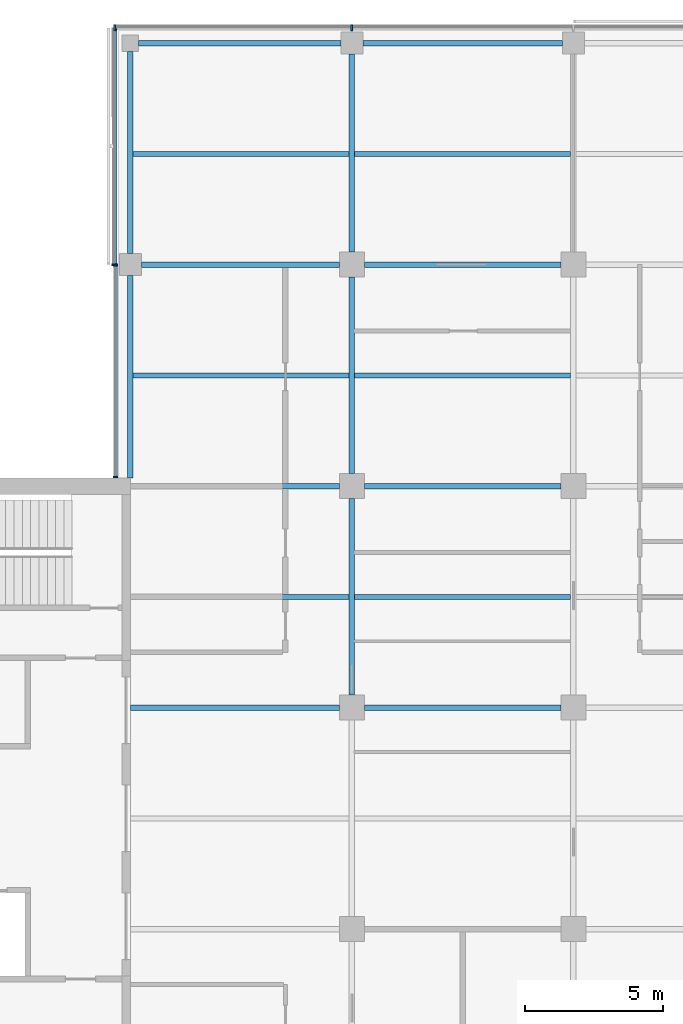
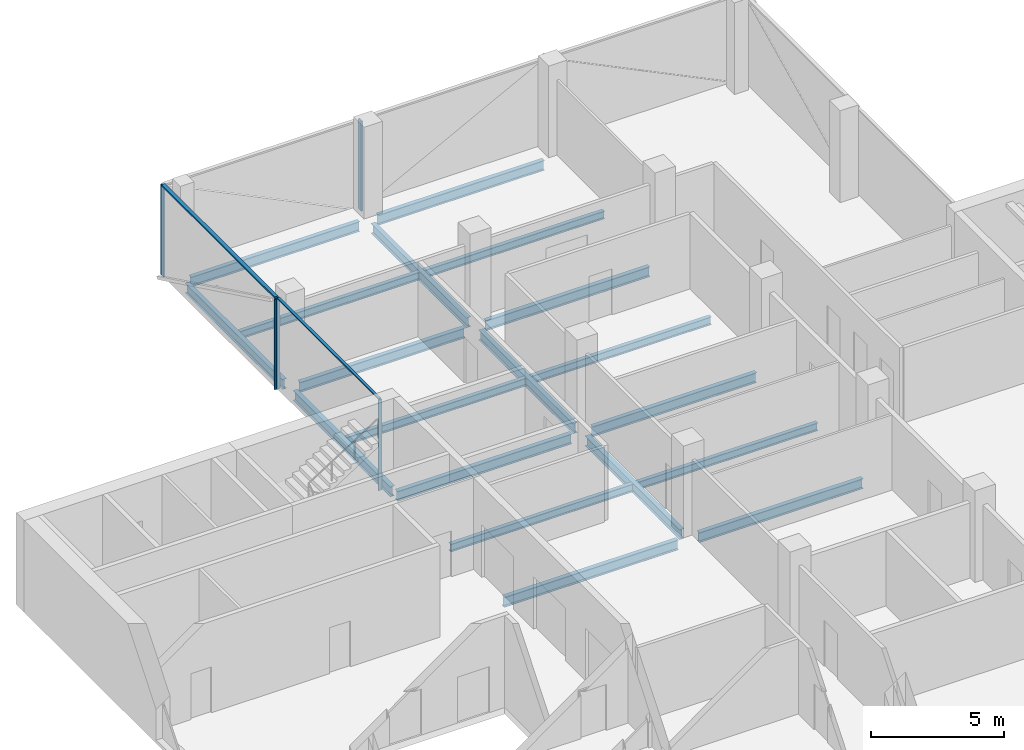
# One storey, part 5 of 15: 19 beams, 7 members, 3 elements without a shape of their own.
"""IFC4 building model written with IfcOpenShell, lengths in metres."""

from ifc_helpers import new_model, si_unit, direction, frame, origin, origin_2d, place, context, subcontext, project, spatial, rectangle, i_section, extrude, material, material_profile, profile_set, type_object, element, aggregate, save


model = new_model("IFC4")

# Units and contexts
model_context = context("Model", 3, precision=1e-05, world=origin(), true_north=direction((0.0, 1.0)))
body_context = subcontext(model_context, "Body", "Model", "MODEL_VIEW")
ifc_project = project(units=[si_unit("LENGTHUNIT", "METRE"), si_unit("AREAUNIT", "SQUARE_METRE"), si_unit("VOLUMEUNIT", "CUBIC_METRE"), si_unit("PLANEANGLEUNIT", "RADIAN"), si_unit("MASSUNIT", "GRAM", prefix="KILO")], contexts=[model_context])

# Site, building, storey
site_placement = place(None, origin())
site = spatial("IfcSite", under=ifc_project, at=site_placement, CompositionType="ELEMENT")
building_placement = place(site_placement, origin())
building = spatial("IfcBuilding", under=site, at=building_placement, Name="Crosswind Convention Tower", CompositionType="ELEMENT")
storey_placement = place(building_placement, frame((0.0, 0.0, 225.10009765625)))
storey = spatial("IfcBuildingStorey", under=building, at=storey_placement, Name="L48", CompositionType="ELEMENT", Elevation=225.10009765625)

# Beams
ifc_material_1 = material(Name="Steel S355", Category="steel")
ifc_material_profile_1 = material_profile(ifc_material_1, i_section(OverallWidth=0.18994140625, OverallDepth=0.45361328125, WebThickness=0.008544921875, FlangeThickness=0.0126953125, FilletRadius=0.01025390625, at=origin_2d()), Name="UB 457x191x67")
ifc_profile_set_1 = profile_set([ifc_material_profile_1], Name="Steel S355")
beam_type_1 = type_object("IfcBeamType", Name="Edge beam UB 457x191x67", PredefinedType="SPANDREL", material=ifc_profile_set_1)
for number, where, z_axis, x_axis, name in (
    (1, (113.0, 112.300048828125, -0.52685546875), (0.0, 1.0, 0.0), (-1.0, 0.0, 0.0), "B16 L48 edge beam 3"),
    (2, (113.0, 120.39990234375, -0.52685546875), (0.0, 1.0, 0.0), (-1.0, 0.0, 0.0), "B16 L48 edge beam 4"),
    (3, (113.300048828125, 128.0, -0.52685546875), (1.0, 0.0, 0.0), (0.0, 1.0, 0.0), "B16 L48 edge beam 6"),
):
    element("IfcBeam", number, at=place(storey_placement, frame(where, z_axis=z_axis, x_axis=x_axis)), inside=storey, type_object=beam_type_1, Name=name, PredefinedType="SPANDREL", context=body_context, shape_type="SweptSolid", body=[
        extrude(i_section(OverallWidth=0.18994140625, OverallDepth=0.45361328125, WebThickness=0.008544921875, FlangeThickness=0.0126953125, FilletRadius=0.01025390625, at=origin_2d()), origin(), (0.0, 0.0, 1.0), 7.300048828125),
    ])
beam_1_placement = place(storey_placement, frame((121.39990234375, 128.0, -0.52685546875), z_axis=(1.0, 0.0, 0.0), x_axis=(0.0, 1.0, 0.0)))
element("IfcBeam", 4, at=beam_1_placement, inside=storey, type_object=beam_type_1, Name="B16 L48 edge beam 8", PredefinedType="SPANDREL", context=body_context, shape_type="SweptSolid", body=[
    extrude(i_section(OverallWidth=0.18994140625, OverallDepth=0.45361328125, WebThickness=0.008544921875, FlangeThickness=0.0126953125, FilletRadius=0.01025390625, at=origin_2d()), origin(), (0.0, 0.0, 1.0), 7.2001953125),
])
ifc_material_profile_2 = material_profile(ifc_material_1, i_section(OverallWidth=0.1904296875, OverallDepth=0.457275390625, WebThickness=0.009033203125, FlangeThickness=0.014404296875, FilletRadius=0.01025390625, at=origin_2d()), Name="UB 457x191x75")
ifc_profile_set_2 = profile_set([ifc_material_profile_2], Name="Steel S355")
beam_type_2 = type_object("IfcBeamType", Name="Girder UB 457x191x75", PredefinedType="BEAM", material=ifc_profile_set_2)
beam_2_placement = place(storey_placement, frame((113.39990234375, 120.0, -0.52880859375), z_axis=(1.0, 0.0, 0.0), x_axis=(0.0, 1.0, 0.0)))
element("IfcBeam", 5, at=beam_2_placement, inside=storey, type_object=beam_type_2, Name="B2 L48 girder 2", PredefinedType="BEAM", context=body_context, shape_type="SweptSolid", body=[
    extrude(i_section(OverallWidth=0.1904296875, OverallDepth=0.457275390625, WebThickness=0.009033203125, FlangeThickness=0.014404296875, FilletRadius=0.01025390625, at=origin_2d()), origin(), (0.0, 0.0, 1.0), 7.150146484375),
])
for number, where, z_axis, x_axis, name in (
    (6, (121.0, 104.449951171875, -0.52880859375), (0.0, 1.0, 0.0), (-1.0, 0.0, 0.0), "B2 L48 girder 7"),
    (7, (121.0, 112.449951171875, -0.52880859375), (0.0, 1.0, 0.0), (-1.0, 0.0, 0.0), "B2 L48 girder 8"),
):
    element("IfcBeam", number, at=place(storey_placement, frame(where, z_axis=z_axis, x_axis=x_axis)), inside=storey, type_object=beam_type_2, Name=name, PredefinedType="BEAM", context=body_context, shape_type="SweptSolid", body=[
        extrude(i_section(OverallWidth=0.1904296875, OverallDepth=0.457275390625, WebThickness=0.009033203125, FlangeThickness=0.014404296875, FilletRadius=0.01025390625, at=origin_2d()), origin(), (0.0, 0.0, 1.0), 7.10009765625),
    ])
beam_3_placement = place(storey_placement, frame((121.0, 120.449951171875, -0.52880859375), z_axis=(0.0, 1.0, 0.0), x_axis=(-1.0, 0.0, 0.0)))
element("IfcBeam", 8, at=beam_3_placement, inside=storey, type_object=beam_type_2, Name="B2 L48 girder 9", PredefinedType="BEAM", context=body_context, shape_type="SweptSolid", body=[
    extrude(i_section(OverallWidth=0.1904296875, OverallDepth=0.457275390625, WebThickness=0.009033203125, FlangeThickness=0.014404296875, FilletRadius=0.01025390625, at=origin_2d()), origin(), (0.0, 0.0, 1.0), 7.150146484375),
])
for number, where, z_axis, x_axis, name in (
    (9, (121.449951171875, 104.0, -0.52880859375), (1.0, 0.0, 0.0), (0.0, 1.0, 0.0), "B2 L48 girder 13"),
    (10, (121.449951171875, 112.0, -0.52880859375), (1.0, 0.0, 0.0), (0.0, 1.0, 0.0), "B2 L48 girder 14"),
    (11, (121.449951171875, 120.0, -0.52880859375), (1.0, 0.0, 0.0), (0.0, 1.0, 0.0), "B2 L48 girder 15"),
):
    element("IfcBeam", number, at=place(storey_placement, frame(where, z_axis=z_axis, x_axis=x_axis)), inside=storey, type_object=beam_type_2, Name=name, PredefinedType="BEAM", context=body_context, shape_type="SweptSolid", body=[
        extrude(i_section(OverallWidth=0.1904296875, OverallDepth=0.457275390625, WebThickness=0.009033203125, FlangeThickness=0.014404296875, FilletRadius=0.01025390625, at=origin_2d()), origin(), (0.0, 0.0, 1.0), 7.10009765625),
    ])
ifc_material_profile_3 = material_profile(ifc_material_1, i_section(OverallWidth=0.19140625, OverallDepth=0.460205078125, WebThickness=0.010009765625, FlangeThickness=0.01611328125, FilletRadius=0.01025390625, at=origin_2d()), Name="UB 457x191x82")
ifc_profile_set_3 = profile_set([ifc_material_profile_3], Name="Steel S355")
beam_type_3 = type_object("IfcBeamType", Name="Girder at core wall UB 457x191x82", PredefinedType="BEAM", material=ifc_profile_set_3)
for number, where, z_axis, x_axis, name in (
    (12, (113.0, 104.0, -0.5302734375), (1.0, 0.0, 0.0), (0.0, 1.0, 0.0), "B23 L48 girder at core wall 3"),
    (13, (113.0, 112.0, -0.5302734375), (1.0, 0.0, 0.0), (0.0, 1.0, 0.0), "B23 L48 girder at core wall 4"),
):
    element("IfcBeam", number, at=place(storey_placement, frame(where, z_axis=z_axis, x_axis=x_axis)), inside=storey, type_object=beam_type_3, Name=name, PredefinedType="BEAM", context=body_context, shape_type="SweptSolid", body=[
        extrude(i_section(OverallWidth=0.19140625, OverallDepth=0.460205078125, WebThickness=0.010009765625, FlangeThickness=0.01611328125, FilletRadius=0.01025390625, at=origin_2d()), origin(), (0.0, 0.0, 1.0), 7.550048828125),
    ])

# Curtain wall, members
ifc_material_2 = material(Name="Aluminium unitised curtain wall", Category="aluminium")
curtain_wall_type_1 = type_object("IfcCurtainWallType", Name="CORE END SLOT WALL 160", PredefinedType="USERDEFINED", material=ifc_material_2)
curtain_wall_1_placement = place(storey_placement, origin())
curtain_wall_1 = element("IfcCurtainWall", 14, at=curtain_wall_1_placement, inside=storey, type_object=curtain_wall_type_1, Name="CW6 L48 N-W.1-2 slot", ObjectType="UNITISED", PredefinedType="USERDEFINED")
ifc_material_3 = material(Name="Aluminium mullion", Category="aluminium")
ifc_material_profile_4 = material_profile(ifc_material_3, rectangle(XDim=0.159912109375, YDim=0.050048828125, at=origin_2d()), Name="AL 160X50")
ifc_profile_set_4 = profile_set([ifc_material_profile_4], Name="Aluminium mullion")
member_type_1 = type_object("IfcMemberType", Name="MULLION 50X160", PredefinedType="MULLION", material=ifc_profile_set_4)
member_1_placement = place(storey_placement, frame((112.469970703125, 119.97509765625, -0.300048828125), z_axis=(0.0, 0.0, 1.0), x_axis=(-1.0, 0.0, 0.0)))
member_1 = element("IfcMember", 15, at=member_1_placement, type_object=member_type_1, Name="CW6 mullion 1", PredefinedType="MULLION", context=body_context, shape_type="SweptSolid", body=[
    extrude(rectangle(XDim=0.159912109375, YDim=0.050048828125, at=origin_2d()), origin(), (0.0, 0.0, 1.0), 4.14990234375),
])
member_2_placement = place(storey_placement, frame((112.469970703125, 112.324951171875, -0.300048828125), z_axis=(0.0, 0.0, 1.0), x_axis=(-1.0, 0.0, 0.0)))
member_2 = element("IfcMember", 16, at=member_2_placement, type_object=member_type_1, Name="CW6 mullion 2", PredefinedType="MULLION", context=body_context, shape_type="SweptSolid", body=[
    extrude(rectangle(XDim=0.159912109375, YDim=0.050048828125, at=origin_2d()), origin(), (0.0, 0.0, 1.0), 4.14990234375),
])

curtain_wall_type_2 = type_object("IfcCurtainWallType", Name="OFFICE UNITISED WALL 220", PredefinedType="USERDEFINED", material=ifc_material_2)
curtain_wall_2_placement = place(storey_placement, origin())
curtain_wall_2 = element("IfcCurtainWall", 17, at=curtain_wall_2_placement, inside=storey, type_object=curtain_wall_type_2, Name="CW3 L48 N-TIP 1", ObjectType="UNITISED", PredefinedType="USERDEFINED")
ifc_material_profile_5 = material_profile(ifc_material_3, rectangle(XDim=0.219970703125, YDim=0.070068359375, at=origin_2d()), Name="AL 220X70")
ifc_profile_set_5 = profile_set([ifc_material_profile_5], Name="Aluminium mullion")
member_type_2 = type_object("IfcMemberType", Name="MULLION 70X220", PredefinedType="MULLION", material=ifc_profile_set_5)
member_3_placement = place(storey_placement, frame((121.0, 128.56005859375, -0.300048828125), z_axis=(0.0, 0.0, 1.0), x_axis=(0.0, 1.0, 0.0)))
member_3 = element("IfcMember", 18, at=member_3_placement, type_object=member_type_2, Name="CW3 mullion 3", PredefinedType="MULLION", context=body_context, shape_type="SweptSolid", body=[
    extrude(rectangle(XDim=0.219970703125, YDim=0.070068359375, at=origin_2d()), origin(), (0.0, 0.0, 1.0), 4.1298828125),
])
member_4_placement = place(storey_placement, frame((112.43994140625, 128.56005859375, -0.300048828125), z_axis=(0.0, 0.0, 1.0), x_axis=(0.0, 1.0, 0.0)))
member_4 = element("IfcMember", 19, at=member_4_placement, type_object=member_type_2, Name="CW3 mullion 4", PredefinedType="MULLION", context=body_context, shape_type="SweptSolid", body=[
    extrude(rectangle(XDim=0.219970703125, YDim=0.070068359375, at=origin_2d()), origin(), (0.0, 0.0, 1.0), 4.1298828125),
])
aggregate(curtain_wall_2, [member_3, member_4])

# Curtain wall, member
curtain_wall_3_placement = place(storey_placement, origin())
curtain_wall_3 = element("IfcCurtainWall", 20, at=curtain_wall_3_placement, inside=storey, type_object=curtain_wall_type_2, Name="CW3 L48 N-W 1", ObjectType="UNITISED", PredefinedType="USERDEFINED")
member_5_placement = place(storey_placement, frame((112.43994140625, 120.0, -0.300048828125), z_axis=(0.0, 0.0, 1.0), x_axis=(-1.0, 0.0, 0.0)))
member_5 = element("IfcMember", 21, at=member_5_placement, type_object=member_type_2, Name="CW3 mullion 2", PredefinedType="MULLION", context=body_context, shape_type="SweptSolid", body=[
    extrude(rectangle(XDim=0.219970703125, YDim=0.070068359375, at=origin_2d()), origin(), (0.0, 0.0, 1.0), 4.1298828125),
])

# Beams
ifc_material_profile_6 = material_profile(ifc_material_1, i_section(OverallWidth=0.172119140625, OverallDepth=0.358642578125, WebThickness=0.008056640625, FlangeThickness=0.012939453125, FilletRadius=0.01025390625, at=origin_2d()), Name="UB 356x171x57")
ifc_profile_set_6 = profile_set([ifc_material_profile_6], Name="Steel S355")
beam_type_4 = type_object("IfcBeamType", Name="Secondary beam UB 356x171x57", PredefinedType="JOIST", material=ifc_profile_set_6)
beam_4_placement = place(storey_placement, frame((113.0, 108.0, -0.4794921875), z_axis=(1.0, 0.0, 0.0), x_axis=(0.0, 1.0, 0.0)))
element("IfcBeam", 22, at=beam_4_placement, inside=storey, type_object=beam_type_4, Name="B9 L48 secondary beam 3", PredefinedType="JOIST", context=body_context, shape_type="SweptSolid", body=[
    extrude(i_section(OverallWidth=0.172119140625, OverallDepth=0.358642578125, WebThickness=0.008056640625, FlangeThickness=0.012939453125, FilletRadius=0.01025390625, at=origin_2d()), origin(), (0.0, 0.0, 1.0), 7.90478515625),
])
for number, where, z_axis, x_axis, name in (
    (23, (113.094970703125, 116.0, -0.4794921875), (1.0, 0.0, 0.0), (0.0, 1.0, 0.0), "B9 L48 secondary beam 6"),
    (24, (113.094970703125, 124.0, -0.4794921875), (1.0, 0.0, 0.0), (0.0, 1.0, 0.0), "B9 L48 secondary beam 7"),
):
    element("IfcBeam", number, at=place(storey_placement, frame(where, z_axis=z_axis, x_axis=x_axis)), inside=storey, type_object=beam_type_4, Name=name, PredefinedType="JOIST", context=body_context, shape_type="SweptSolid", body=[
        extrude(i_section(OverallWidth=0.172119140625, OverallDepth=0.358642578125, WebThickness=0.008056640625, FlangeThickness=0.012939453125, FilletRadius=0.01025390625, at=origin_2d()), origin(), (0.0, 0.0, 1.0), 7.809814453125),
    ])
for number, where, z_axis, x_axis, name in (
    (25, (121.09521484375, 108.0, -0.4794921875), (1.0, 0.0, 0.0), (0.0, 1.0, 0.0), "B9 L48 secondary beam 12"),
    (26, (121.09521484375, 116.0, -0.4794921875), (1.0, 0.0, 0.0), (0.0, 1.0, 0.0), "B9 L48 secondary beam 13"),
    (27, (121.09521484375, 124.0, -0.4794921875), (1.0, 0.0, 0.0), (0.0, 1.0, 0.0), "B9 L48 secondary beam 14"),
):
    element("IfcBeam", number, at=place(storey_placement, frame(where, z_axis=z_axis, x_axis=x_axis)), inside=storey, type_object=beam_type_4, Name=name, PredefinedType="JOIST", context=body_context, shape_type="SweptSolid", body=[
        extrude(i_section(OverallWidth=0.172119140625, OverallDepth=0.358642578125, WebThickness=0.008056640625, FlangeThickness=0.012939453125, FilletRadius=0.01025390625, at=origin_2d()), origin(), (0.0, 0.0, 1.0), 7.8095703125),
    ])

# Member
ifc_material_4 = material(Name="Aluminium transom", Category="aluminium")
ifc_material_profile_7 = material_profile(ifc_material_4, rectangle(XDim=0.1201171875, YDim=0.050048828125, at=origin_2d()), Name="AL 120X50")
ifc_profile_set_7 = profile_set([ifc_material_profile_7], Name="Aluminium transom")
member_type_3 = type_object("IfcMemberType", Name="TRANSOM 50X120", PredefinedType="USERDEFINED", material=ifc_profile_set_7)
member_6_placement = place(storey_placement, frame((112.469970703125, 119.949951171875, 3.875), z_axis=(0.0, -1.0, 0.0), x_axis=(1.0, 0.0, 0.0)))
member_6 = element("IfcMember", 28, at=member_6_placement, type_object=member_type_3, Name="CW6 transom", ObjectType="TRANSOM", PredefinedType="USERDEFINED", context=body_context, shape_type="SweptSolid", body=[
    extrude(rectangle(XDim=0.1201171875, YDim=0.050048828125, at=origin_2d()), origin(), (0.0, 0.0, 1.0), 7.599853515625),
])

aggregate(curtain_wall_1, [member_1, member_2, member_6])

ifc_material_profile_8 = material_profile(ifc_material_4, rectangle(XDim=0.159912109375, YDim=0.070068359375, at=origin_2d()), Name="AL 160X70")
ifc_profile_set_8 = profile_set([ifc_material_profile_8], Name="Aluminium transom")
member_type_4 = type_object("IfcMemberType", Name="TRANSOM 70X160", PredefinedType="USERDEFINED", material=ifc_profile_set_8)
member_7_placement = place(storey_placement, frame((112.43994140625, 128.52490234375, 3.864990234375), z_axis=(0.0, -1.0, 0.0), x_axis=(1.0, 0.0, 0.0)))
member_7 = element("IfcMember", 29, at=member_7_placement, type_object=member_type_4, Name="CW3 transom", ObjectType="TRANSOM", PredefinedType="USERDEFINED", context=body_context, shape_type="SweptSolid", body=[
    extrude(rectangle(XDim=0.159912109375, YDim=0.070068359375, at=origin_2d()), origin(), (0.0, 0.0, 1.0), 8.489990234375),
])

aggregate(curtain_wall_3, [member_5, member_7])

save(model, "model.ifc")
